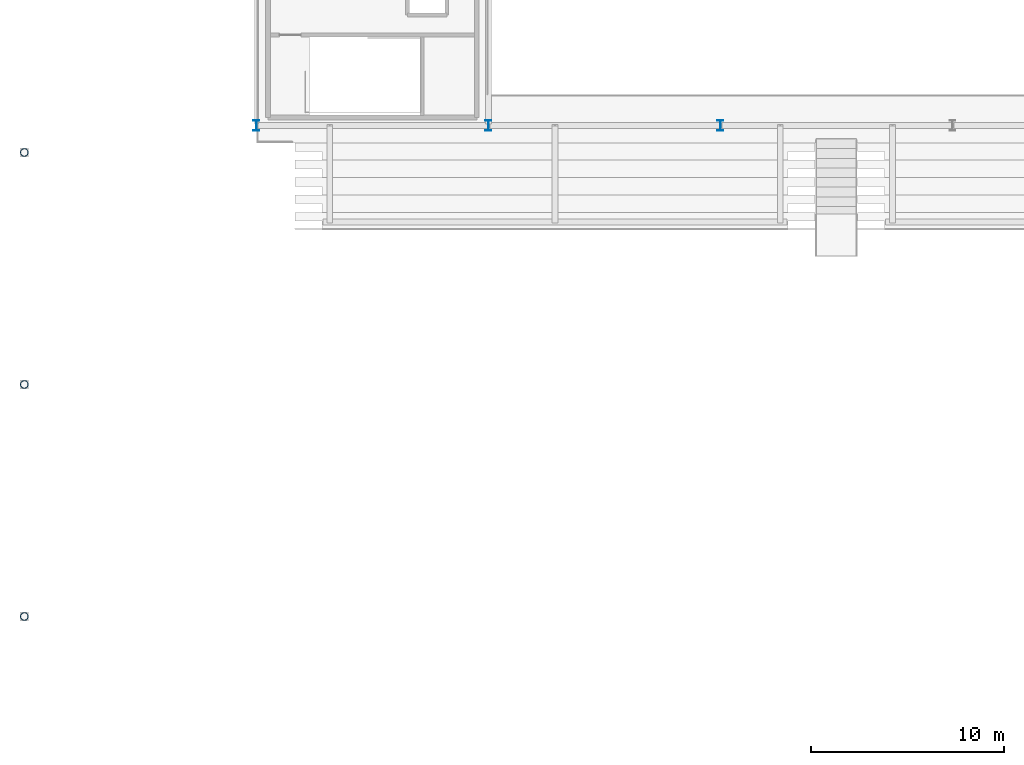
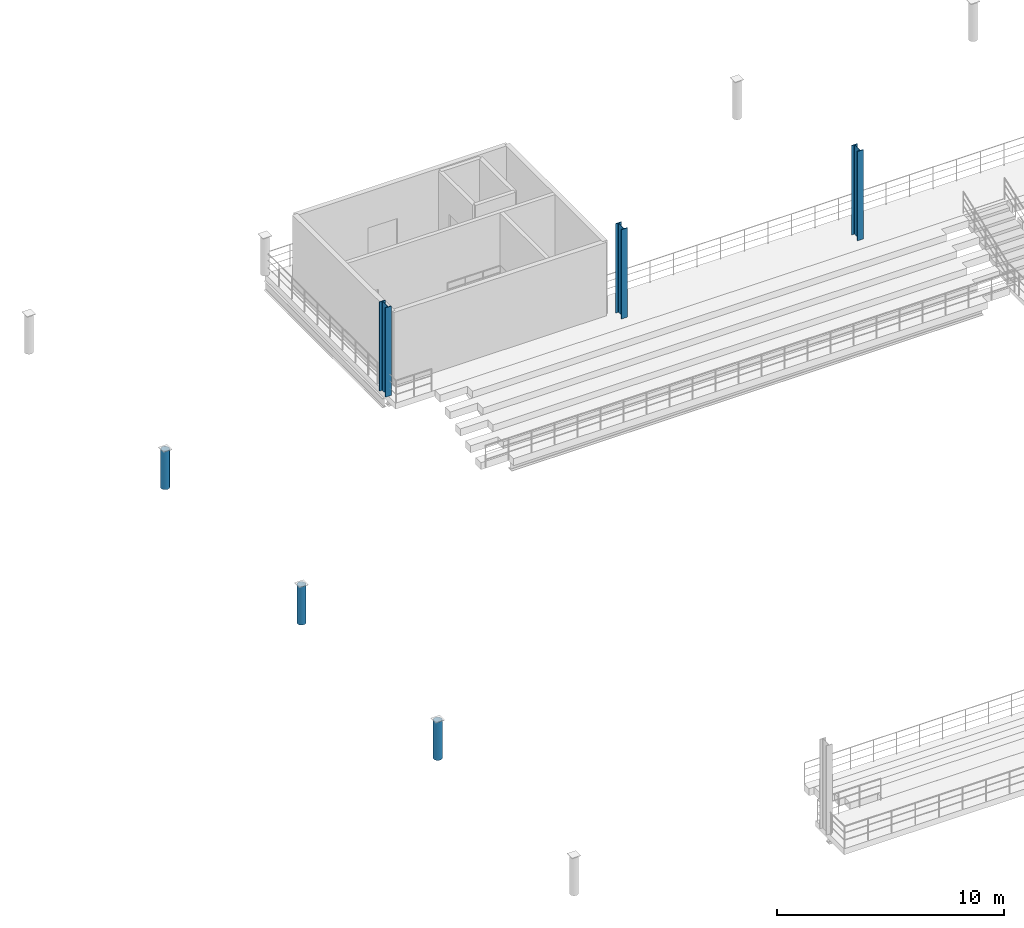
# One storey, part 3 of 52: 6 columns.
"""IFC4 building model written with IfcOpenShell, lengths in metres."""

from ifc_helpers import new_model, si_unit, direction, frame, origin, origin_2d, place, context, subcontext, project, spatial, hollow_circle, i_section, extrude, material, material_profile, profile_set, type_object, element, save


model = new_model("IFC4")

# Units and contexts
model_context = context("Model", 3, precision=1e-05, world=origin(), true_north=direction((0.0, 1.0)))
body_context = subcontext(model_context, "Body", "Model", "MODEL_VIEW")
ifc_project = project(units=[si_unit("LENGTHUNIT", "METRE"), si_unit("AREAUNIT", "SQUARE_METRE"), si_unit("VOLUMEUNIT", "CUBIC_METRE"), si_unit("PLANEANGLEUNIT", "RADIAN"), si_unit("MASSUNIT", "GRAM", prefix="KILO"), si_unit("THERMODYNAMICTEMPERATUREUNIT", "KELVIN"), si_unit("POWERUNIT", "WATT")], contexts=[model_context])

# Site, building, storey
site_placement = place(None, origin())
site = spatial("IfcSite", under=ifc_project, at=site_placement, CompositionType="ELEMENT")
building_placement = place(site_placement, origin())
building = spatial("IfcBuilding", under=site, at=building_placement, Name="Solmara Park Aquatics Centre", CompositionType="ELEMENT")
storey_placement = place(building_placement, frame((0.0, 0.0, 9.60009765625)))
storey = spatial("IfcBuildingStorey", under=building, at=storey_placement, Name="L02", CompositionType="ELEMENT", Elevation=9.60009765625)

# Columns
ifc_material = material(Name="Structural Steel S355", Category="steel")
ifc_material_profile_1 = material_profile(ifc_material, hollow_circle(Radius=0.203125, WallThickness=0.01611328125, at=origin_2d()), Name="CHS 406.4x16")
ifc_profile_set_1 = profile_set([ifc_material_profile_1], Name="Structural Steel S355")
column_type_1 = type_object("IfcColumnType", Name="STR-COL-CHS406", PredefinedType="COLUMN", material=ifc_profile_set_1)
for number, where, z_axis, x_axis, name in (
    (1, (12.60009765625, 36.60009765625, 0.0), (0.0, 0.0, 1.0), (1.0, 0.0, 0.0), "Column L02-0463"),
    (2, (12.60009765625, 48.60009765625, 0.0), (0.0, 0.0, 1.0), (1.0, 0.0, 0.0), "Column L02-0464"),
    (3, (12.60009765625, 60.60009765625, 0.0), (0.0, 0.0, 1.0), (1.0, 0.0, 0.0), "Column L02-0465"),
):
    element("IfcColumn", number, at=place(storey_placement, frame(where, z_axis=z_axis, x_axis=x_axis)), inside=storey, type_object=column_type_1, Name=name, PredefinedType="COLUMN", context=body_context, shape_type="SweptSolid", body=[
        extrude(hollow_circle(Radius=0.203125, WallThickness=0.01611328125, at=origin_2d()), origin(), (0.0, 0.0, 1.0), 2.059814453125),
    ])
ifc_material_profile_2 = material_profile(ifc_material, i_section(OverallWidth=0.300048828125, OverallDepth=0.550048828125, WebThickness=0.014892578125, FlangeThickness=0.029052734375, FilletRadius=0.027099609375, at=origin_2d()), Name="HEB 550")
ifc_profile_set_2 = profile_set([ifc_material_profile_2], Name="Structural Steel S355")
column_type_2 = type_object("IfcColumnType", Name="STR-COL-HEB550", PredefinedType="COLUMN", material=ifc_profile_set_2)
for number, where, z_axis, x_axis, name in (
    (4, (24.60009765625, 62.0, 0.0), (0.0, 0.0, 1.0), (1.0, 0.0, 0.0), "Column L02-0469"),
    (5, (36.60009765625, 62.0, 0.0), (0.0, 0.0, 1.0), (1.0, 0.0, 0.0), "Column L02-0477"),
    (6, (48.60009765625, 62.0, 0.0), (0.0, 0.0, 1.0), (1.0, 0.0, 0.0), "Column L02-0485"),
):
    element("IfcColumn", number, at=place(storey_placement, frame(where, z_axis=z_axis, x_axis=x_axis)), inside=storey, type_object=column_type_2, Name=name, PredefinedType="COLUMN", context=body_context, shape_type="SweptSolid", body=[
        extrude(i_section(OverallWidth=0.300048828125, OverallDepth=0.550048828125, WebThickness=0.014892578125, FlangeThickness=0.029052734375, FilletRadius=0.027099609375, at=origin_2d()), origin(), (0.0, 0.0, 1.0), 4.7998046875),
    ])

save(model, "model.ifc")
